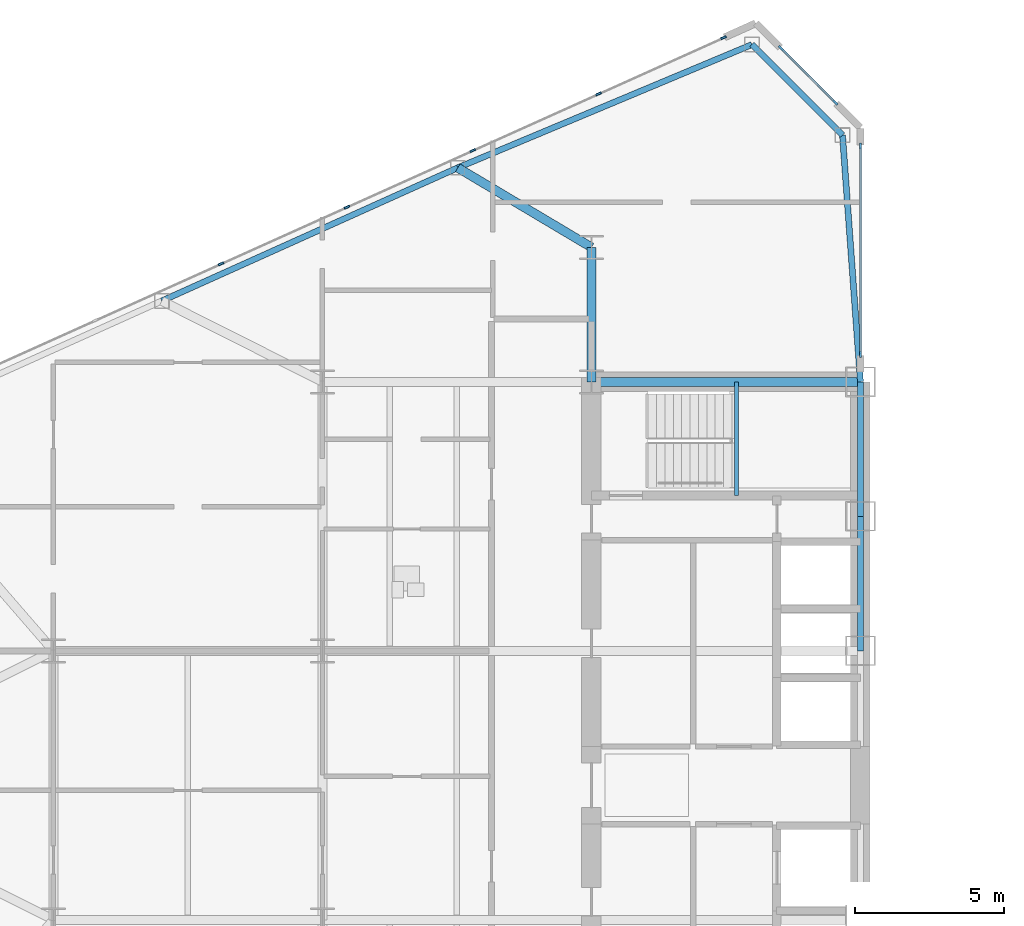
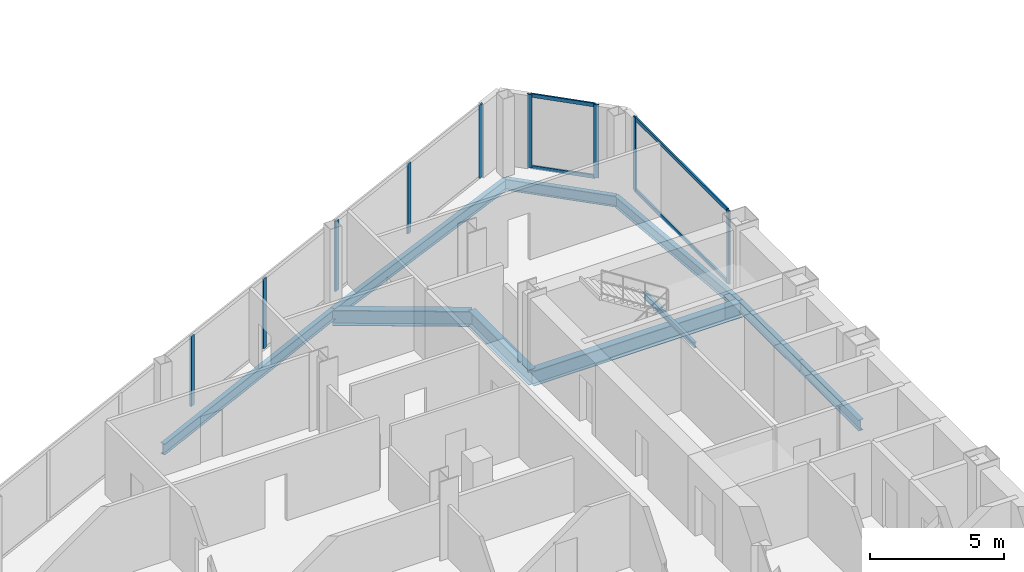
# One storey, part 9 of 27: 13 members, 10 beams, 3 elements without a shape of their own.
"""IFC4 building model written with IfcOpenShell, lengths in metres."""

from ifc_helpers import new_model, si_unit, direction, frame, origin, origin_2d, place, context, subcontext, project, spatial, rectangle, i_section, extrude, source, transform, mapped, material, layer, layer_set, material_profile, profile_set, type_object, type_shapes, element, aggregate, save


model = new_model("IFC4")

# Units and contexts
model_context = context("Model", 3, precision=1e-05, world=origin(), true_north=direction((0.0, 1.0)))
body_context = subcontext(model_context, "Body", "Model", "MODEL_VIEW")
ifc_project = project(units=[si_unit("LENGTHUNIT", "METRE"), si_unit("AREAUNIT", "SQUARE_METRE"), si_unit("VOLUMEUNIT", "CUBIC_METRE"), si_unit("PLANEANGLEUNIT", "RADIAN"), si_unit("MASSUNIT", "GRAM", prefix="KILO")], contexts=[model_context])

# Site, building, storey
site_placement = place(None, origin())
site = spatial("IfcSite", under=ifc_project, at=site_placement, CompositionType="ELEMENT")
building_placement = place(site_placement, origin())
building = spatial("IfcBuilding", under=site, at=building_placement, Name="Seokmaru Belvedere", CompositionType="ELEMENT")
storey_placement = place(building_placement, frame((0.0, 0.0, 83.699951171875)))
storey = spatial("IfcBuildingStorey", under=building, at=storey_placement, Name="L22", CompositionType="ELEMENT", Elevation=83.699951171875)

# Beams
ifc_material_1 = material(Name="Steel SM355 (355 MPa)", Category="steel")
ifc_material_profile_1 = material_profile(ifc_material_1, i_section(OverallWidth=0.199951171875, OverallDepth=0.5, WebThickness=0.010009765625, FlangeThickness=0.01611328125, at=origin_2d()), Name="H-500x200x10x16")
ifc_profile_set_1 = profile_set([ifc_material_profile_1], Name="Steel SM355 (355 MPa)")
beam_type_1 = type_object("IfcBeamType", Name="Perimeter Spandrel Beam H-500", PredefinedType="SPANDREL", material=ifc_profile_set_1)
shared_shape_1 = source(origin(), body_context, "Body", "SweptSolid", [
    extrude(i_section(OverallWidth=0.199951171875, OverallDepth=0.5, WebThickness=0.010009765625, FlangeThickness=0.01611328125, at=origin_2d()), origin(), (0.0, 0.0, 1.0), 4.5),
])
for number, where, z_axis, x_axis, name in (
    (1, (-27.5, 4.5, -0.469970703125), (0.0, 1.0, 0.0), (-1.0, 0.0, 0.0), "L22 W Portal Spine Spandrel 4"),
    (2, (-27.5, 9.0, -0.469970703125), (0.0, 1.0, 0.0), (-1.0, 0.0, 0.0), "L22 W Portal Spine Spandrel 5"),
):
    element("IfcBeam", number, at=place(storey_placement, frame(where, z_axis=z_axis, x_axis=x_axis)), inside=storey, type_object=beam_type_1, Name=name, PredefinedType="SPANDREL", context=body_context, shape_type="MappedRepresentation", body=[
        mapped(shared_shape_1, transform((0.0, 0.0, 0.0), scale=1.0)),
    ])
ifc_material_profile_2 = material_profile(ifc_material_1, i_section(OverallWidth=0.300048828125, OverallDepth=0.699951171875, WebThickness=0.012939453125, FlangeThickness=0.02392578125, at=origin_2d()), Name="H-700x300x13x24")
ifc_profile_set_2 = profile_set([ifc_material_profile_2], Name="Steel SM355 (355 MPa)")
beam_type_2 = type_object("IfcBeamType", Name="Primary Floor Girder H-700", PredefinedType="BEAM", material=ifc_profile_set_2)
shared_shape_2 = source(origin(), body_context, "Body", "SweptSolid", [
    extrude(i_section(OverallWidth=0.300048828125, OverallDepth=0.699951171875, WebThickness=0.012939453125, FlangeThickness=0.02392578125, at=origin_2d()), origin(), (0.0, 0.0, 1.0), 4.5),
])
beam_1_placement = place(storey_placement, frame((-36.5, 13.5, -0.570068359375), z_axis=(0.0, 1.0, 0.0), x_axis=(-1.0, 0.0, 0.0)))
element("IfcBeam", 3, at=beam_1_placement, inside=storey, type_object=beam_type_2, Name="L22 W Core Shoulder Girder N", PredefinedType="BEAM", context=body_context, shape_type="MappedRepresentation", body=[
    mapped(shared_shape_2, transform((0.0, 0.0, 0.0), scale=1.0)),
])
shared_shape_3 = source(origin(), body_context, "Body", "SweptSolid", [
    extrude(i_section(OverallWidth=0.300048828125, OverallDepth=0.699951171875, WebThickness=0.012939453125, FlangeThickness=0.02392578125, at=origin_2d()), origin(), (0.0, 0.0, 1.0), 9.0),
])
beam_2_placement = place(storey_placement, frame((-36.5, 13.5, -0.570068359375), z_axis=(1.0, 0.0, 0.0), x_axis=(0.0, 1.0, 0.0)))
element("IfcBeam", 4, at=beam_2_placement, inside=storey, type_object=beam_type_2, Name="L22 W Core Tie Girder 4", PredefinedType="BEAM", context=body_context, shape_type="MappedRepresentation", body=[
    mapped(shared_shape_3, transform((0.0, 0.0, 0.0), scale=1.0)),
])
shared_shape_4 = source(origin(), body_context, "Body", "SweptSolid", [
    extrude(i_section(OverallWidth=0.199951171875, OverallDepth=0.5, WebThickness=0.010009765625, FlangeThickness=0.01611328125, at=origin_2d()), origin(), (0.0, 0.0, 1.0), 10.66943359375),
])
beam_3_placement = place(storey_placement, frame((-31.13134765625, 24.782958984375, -0.469970703125), z_axis=(-0.922375393128, -0.386294750355, 0.0), x_axis=(0.386294750355, -0.922375393128, 0.0)))
element("IfcBeam", 5, at=beam_3_placement, inside=storey, type_object=beam_type_1, Name="L22 W Faceted Flank Spandrel N-1", PredefinedType="SPANDREL", context=body_context, shape_type="MappedRepresentation", body=[
    mapped(shared_shape_4, transform((0.0, 0.0, 0.0), scale=1.0)),
])
shared_shape_5 = source(origin(), body_context, "Body", "SweptSolid", [
    extrude(i_section(OverallWidth=0.199951171875, OverallDepth=0.5, WebThickness=0.010009765625, FlangeThickness=0.01611328125, at=origin_2d()), origin(), (0.0, 0.0, 1.0), 10.85888671875),
])
beam_4_placement = place(storey_placement, frame((-40.97265625, 20.661376953125, -0.469970703125), z_axis=(-0.911921505175, -0.410364677329, 0.0), x_axis=(0.410364677329, -0.911921505175, 0.0)))
element("IfcBeam", 6, at=beam_4_placement, inside=storey, type_object=beam_type_1, Name="L22 W Faceted Flank Spandrel N-2", PredefinedType="SPANDREL", context=body_context, shape_type="MappedRepresentation", body=[
    mapped(shared_shape_5, transform((0.0, 0.0, 0.0), scale=1.0)),
])
shared_shape_6 = source(origin(), body_context, "Body", "SweptSolid", [
    extrude(i_section(OverallWidth=0.199951171875, OverallDepth=0.5, WebThickness=0.010009765625, FlangeThickness=0.01611328125, at=origin_2d()), origin(), (0.0, 0.0, 1.0), 4.287109375),
])
beam_5_placement = place(storey_placement, frame((-31.13134765625, 24.782958984375, -0.469970703125), z_axis=(0.707078306132, -0.707135255094, 0.0), x_axis=(0.707135255094, 0.707078306132, 0.0)))
element("IfcBeam", 7, at=beam_5_placement, inside=storey, type_object=beam_type_1, Name="L22 W Shoulder Chamfer Spandrel N", PredefinedType="SPANDREL", context=body_context, shape_type="MappedRepresentation", body=[
    mapped(shared_shape_6, transform((0.0, 0.0, 0.0), scale=1.0)),
])
shared_shape_7 = source(origin(), body_context, "Body", "SweptSolid", [
    extrude(i_section(OverallWidth=0.199951171875, OverallDepth=0.5, WebThickness=0.010009765625, FlangeThickness=0.01611328125, at=origin_2d()), origin(), (0.0, 0.0, 1.0), 8.273193359375),
])
type_shapes(beam_type_1, [shared_shape_1, shared_shape_4, shared_shape_5, shared_shape_6, shared_shape_7])
beam_6_placement = place(storey_placement, frame((-28.10009765625, 21.75146484375, -0.469970703125), z_axis=(0.072534628348, -0.99736589459, 0.0), x_axis=(0.99736589459, 0.072534628348, 0.0)))
element("IfcBeam", 8, at=beam_6_placement, inside=storey, type_object=beam_type_1, Name="L22 W Shoulder Spine Spandrel N", PredefinedType="SPANDREL", context=body_context, shape_type="MappedRepresentation", body=[
    mapped(shared_shape_7, transform((0.0, 0.0, 0.0), scale=1.0)),
])
shared_shape_8 = source(origin(), body_context, "Body", "SweptSolid", [
    extrude(i_section(OverallWidth=0.300048828125, OverallDepth=0.699951171875, WebThickness=0.012939453125, FlangeThickness=0.02392578125, at=origin_2d()), origin(), (0.0, 0.0, 1.0), 5.20458984375),
])
type_shapes(beam_type_2, [shared_shape_2, shared_shape_3, shared_shape_8])
beam_7_placement = place(storey_placement, frame((-40.97265625, 20.661376953125, -0.570068359375), z_axis=(0.859370434188, -0.511353553662, 0.0), x_axis=(0.511353553662, 0.859370434188, 0.0)))
element("IfcBeam", 9, at=beam_7_placement, inside=storey, type_object=beam_type_2, Name="L22 W Flank Radial Floor Girder N-1", PredefinedType="BEAM", context=body_context, shape_type="MappedRepresentation", body=[
    mapped(shared_shape_8, transform((0.0, 0.0, 0.0), scale=1.0)),
])

# Curtain wall, members
ifc_material_2 = material(Name="Bronze Triple Insulating Glass", Category="glass")
ifc_layer = layer(ifc_material_2, 0.195068359375)
ifc_layer_set = layer_set([ifc_layer], Name="Bronze Triple Insulating Glass")
curtain_wall_type = type_object("IfcCurtainWallType", Name="Lower-Mid Tapered Curtain Wall System CW-3", PredefinedType="NOTDEFINED", material=ifc_layer_set)
curtain_wall_1_placement = place(storey_placement, origin())
curtain_wall_1 = element("IfcCurtainWall", 10, at=curtain_wall_1_placement, inside=storey, type_object=curtain_wall_type, Name="L22 Curtain Wall WSP_2", PredefinedType="NOTDEFINED")
ifc_material_3 = material(Name="Anodised Bronze Aluminium", Category="aluminium")
ifc_material_profile_3 = material_profile(ifc_material_3, rectangle(XDim=0.070068359375, YDim=0.1650390625, at=origin_2d()), Name="CW-T-70x165")
ifc_profile_set_3 = profile_set([ifc_material_profile_3], Name="Anodised Bronze Aluminium")
member_type_1 = type_object("IfcMemberType", Name="Bronze Unitised Transom 70x165", PredefinedType="USERDEFINED", material=ifc_profile_set_3)
shared_shape_9 = source(origin(), body_context, "Body", "SweptSolid", [
    extrude(rectangle(XDim=0.070068359375, YDim=0.1650390625, at=origin_2d()), origin(), (0.0, 0.0, 1.0), 6.91015625),
])
member_1_placement = place(storey_placement, frame((-27.5, 14.449951171875, 0.03515625), z_axis=(0.0, 1.0, 0.0), x_axis=(-1.0, 0.0, 0.0)))
member_1 = element("IfcMember", 11, at=member_1_placement, type_object=member_type_1, Name="CW:L22:WSP_2 Continuous Transom 1", ObjectType="TRANSOM", PredefinedType="USERDEFINED", context=body_context, shape_type="MappedRepresentation", body=[
    mapped(shared_shape_9, transform((0.0, 0.0, 0.0), scale=1.0)),
])
member_2_placement = place(storey_placement, frame((-27.5, 14.449951171875, 3.304931640625), z_axis=(0.0, 1.0, 0.0), x_axis=(-1.0, 0.0, 0.0)))
member_2 = element("IfcMember", 12, at=member_2_placement, type_object=member_type_1, Name="CW:L22:WSP_2 Continuous Transom 2", ObjectType="TRANSOM", PredefinedType="USERDEFINED", context=body_context, shape_type="MappedRepresentation", body=[
    mapped(shared_shape_9, transform((0.0, 0.0, 0.0), scale=1.0)),
])

curtain_wall_2_placement = place(storey_placement, origin())
curtain_wall_2 = element("IfcCurtainWall", 13, at=curtain_wall_2_placement, inside=storey, type_object=curtain_wall_type, Name="L22 Curtain Wall WF2", PredefinedType="NOTDEFINED")
shared_shape_10 = source(origin(), body_context, "Body", "SweptSolid", [
    extrude(rectangle(XDim=0.070068359375, YDim=0.1650390625, at=origin_2d()), origin(), (0.0, 0.0, 1.0), 2.509521484375),
])
type_shapes(member_type_1, [shared_shape_9, shared_shape_10])
member_3_placement = place(storey_placement, frame((-28.36279296875, 22.86279296875, 0.03515625), z_axis=(-0.707106781187, 0.707106781187, 0.0), x_axis=(-0.707106781187, -0.707106781187, 0.0)))
member_3 = element("IfcMember", 14, at=member_3_placement, type_object=member_type_1, Name="CW:L22:WF2 Continuous Transom 1", ObjectType="TRANSOM", PredefinedType="USERDEFINED", context=body_context, shape_type="MappedRepresentation", body=[
    mapped(shared_shape_10, transform((0.0, 0.0, 0.0), scale=1.0)),
])
member_4_placement = place(storey_placement, frame((-28.36279296875, 22.86279296875, 3.304931640625), z_axis=(-0.707106781187, 0.707106781187, 0.0), x_axis=(-0.707106781187, -0.707106781187, 0.0)))
member_4 = element("IfcMember", 15, at=member_4_placement, type_object=member_type_1, Name="CW:L22:WF2 Continuous Transom 2", ObjectType="TRANSOM", PredefinedType="USERDEFINED", context=body_context, shape_type="MappedRepresentation", body=[
    mapped(shared_shape_10, transform((0.0, 0.0, 0.0), scale=1.0)),
])

# Member
ifc_material_profile_4 = material_profile(ifc_material_3, rectangle(XDim=0.070068359375, YDim=0.195068359375, at=origin_2d()), Name="CW-M-70x195")
ifc_profile_set_4 = profile_set([ifc_material_profile_4], Name="Anodised Bronze Aluminium")
member_type_2 = type_object("IfcMemberType", Name="Bronze Unitised Mullion 70x195", PredefinedType="MULLION", material=ifc_profile_set_4)
shared_shape_11 = source(origin(), body_context, "Body", "SweptSolid", [
    extrude(rectangle(XDim=0.070068359375, YDim=0.195068359375, at=origin_2d()), origin(), (0.0, 0.0, 1.0), 3.340087890625),
])
member_5_placement = place(storey_placement, frame((-27.5, 14.4150390625, 0.0), z_axis=(0.0, 0.0, 1.0), x_axis=(-1.0, 0.0, 0.0)))
member_5 = element("IfcMember", 16, at=member_5_placement, type_object=member_type_2, Name="CW:L22:WSP_2 Mullion 1", PredefinedType="MULLION", context=body_context, shape_type="MappedRepresentation", body=[
    mapped(shared_shape_11, transform((0.0, 0.0, 0.0), scale=1.0)),
])

member_6_placement = place(storey_placement, frame((-27.5, 21.39501953125, 0.0), z_axis=(0.0, 0.0, 1.0), x_axis=(-1.0, 0.0, 0.0)))
member_6 = element("IfcMember", 17, at=member_6_placement, type_object=member_type_2, Name="CW:L22:WSP_2 Mullion 2", PredefinedType="MULLION", context=body_context, shape_type="MappedRepresentation", body=[
    mapped(shared_shape_11, transform((0.0, 0.0, 0.0), scale=1.0)),
])

aggregate(curtain_wall_1, [member_5, member_6, member_1, member_2])

member_7_placement = place(storey_placement, frame((-28.337890625, 22.837890625, 0.0), z_axis=(0.0, 0.0, 1.0), x_axis=(-0.707106781187, -0.707106781187, 0.0)))
member_7 = element("IfcMember", 18, at=member_7_placement, type_object=member_type_2, Name="CW:L22:WF2 Mullion 1", PredefinedType="MULLION", context=body_context, shape_type="MappedRepresentation", body=[
    mapped(shared_shape_11, transform((0.0, 0.0, 0.0), scale=1.0)),
])

member_8_placement = place(storey_placement, frame((-30.162109375, 24.662109375, 0.0), z_axis=(0.0, 0.0, 1.0), x_axis=(-0.707106781187, -0.707106781187, 0.0)))
member_8 = element("IfcMember", 19, at=member_8_placement, type_object=member_type_2, Name="CW:L22:WF2 Mullion 2", PredefinedType="MULLION", context=body_context, shape_type="MappedRepresentation", body=[
    mapped(shared_shape_11, transform((0.0, 0.0, 0.0), scale=1.0)),
])

aggregate(curtain_wall_2, [member_7, member_8, member_3, member_4])

# Curtain wall, members
curtain_wall_3_placement = place(storey_placement, origin())
curtain_wall_3 = element("IfcCurtainWall", 20, at=curtain_wall_3_placement, inside=storey, type_object=curtain_wall_type, Name="L22 Curtain Wall WF3", PredefinedType="NOTDEFINED")
member_9_placement = place(storey_placement, frame((-32.08056640625, 25.013671875, 0.0), z_axis=(0.0, 0.0, 1.0), x_axis=(0.41036554765, -0.91192111353, 0.0)))
member_9 = element("IfcMember", 21, at=member_9_placement, type_object=member_type_2, Name="CW:L22:WF3 Mullion 1", PredefinedType="MULLION", context=body_context, shape_type="MappedRepresentation", body=[
    mapped(shared_shape_11, transform((0.0, 0.0, 0.0), scale=1.0)),
])
shared_shape_12 = source(origin(), body_context, "Body", "SweptSolid", [
    extrude(rectangle(XDim=0.070068359375, YDim=0.195068359375, at=origin_2d()), origin(), (0.0, 0.0, 1.0), 3.199951171875),
])
type_shapes(member_type_2, [shared_shape_11, shared_shape_12])
member_10_placement = place(storey_placement, frame((-36.260009765625, 23.133056640625, 0.070068359375), z_axis=(0.0, 0.0, 1.0), x_axis=(0.41036554765, -0.91192111353, 0.0)))
member_10 = element("IfcMember", 22, at=member_10_placement, type_object=member_type_2, Name="CW:L22:WF3 Mullion 2", PredefinedType="MULLION", context=body_context, shape_type="MappedRepresentation", body=[
    mapped(shared_shape_12, transform((0.0, 0.0, 0.0), scale=1.0)),
])
member_11_placement = place(storey_placement, frame((-40.471435546875, 21.23779296875, 0.070068359375), z_axis=(0.0, 0.0, 1.0), x_axis=(0.41036554765, -0.91192111353, 0.0)))
member_11 = element("IfcMember", 23, at=member_11_placement, type_object=member_type_2, Name="CW:L22:WF3 Mullion 3", PredefinedType="MULLION", context=body_context, shape_type="MappedRepresentation", body=[
    mapped(shared_shape_12, transform((0.0, 0.0, 0.0), scale=1.0)),
])
member_12_placement = place(storey_placement, frame((-44.682861328125, 19.3427734375, 0.070068359375), z_axis=(0.0, 0.0, 1.0), x_axis=(0.41036554765, -0.91192111353, 0.0)))
member_12 = element("IfcMember", 24, at=member_12_placement, type_object=member_type_2, Name="CW:L22:WF3 Mullion 4", PredefinedType="MULLION", context=body_context, shape_type="MappedRepresentation", body=[
    mapped(shared_shape_12, transform((0.0, 0.0, 0.0), scale=1.0)),
])
member_13_placement = place(storey_placement, frame((-48.894287109375, 17.447509765625, 0.070068359375), z_axis=(0.0, 0.0, 1.0), x_axis=(0.41036554765, -0.91192111353, 0.0)))
member_13 = element("IfcMember", 25, at=member_13_placement, type_object=member_type_2, Name="CW:L22:WF3 Mullion 5", PredefinedType="MULLION", context=body_context, shape_type="MappedRepresentation", body=[
    mapped(shared_shape_12, transform((0.0, 0.0, 0.0), scale=1.0)),
])
aggregate(curtain_wall_3, [member_9, member_10, member_11, member_12, member_13])

# Beam
ifc_material_profile_5 = material_profile(ifc_material_1, i_section(OverallWidth=0.125, OverallDepth=0.25, WebThickness=0.006103515625, FlangeThickness=0.009033203125, at=origin_2d()), Name="H-250x125x6x9")
ifc_profile_set_5 = profile_set([ifc_material_profile_5], Name="Steel SM355 (355 MPa)")
beam_type_3 = type_object("IfcBeamType", Name="Stair Mid-Landing Support Beam H-250", PredefinedType="JOIST", material=ifc_profile_set_5)
shared_shape_13 = source(origin(), body_context, "Body", "SweptSolid", [
    extrude(i_section(OverallWidth=0.125, OverallDepth=0.25, WebThickness=0.006103515625, FlangeThickness=0.009033203125, at=origin_2d()), origin(), (0.0, 0.0, 1.0), 3.800048828125),
])
type_shapes(beam_type_3, [shared_shape_13])
beam_8_placement = place(storey_placement, frame((-31.64990234375, 9.699951171875, 1.47509765625), z_axis=(0.0, 1.0, 0.0), x_axis=(-1.0, 0.0, 0.0)))
element("IfcBeam", 26, at=beam_8_placement, inside=storey, type_object=beam_type_3, Name="L22 Stair ST-W2 Mid-Landing Support Beam 1", PredefinedType="JOIST", context=body_context, shape_type="MappedRepresentation", body=[
    mapped(shared_shape_13, transform((0.0, 0.0, 0.0), scale=1.0)),
])

save(model, "model.ifc")
